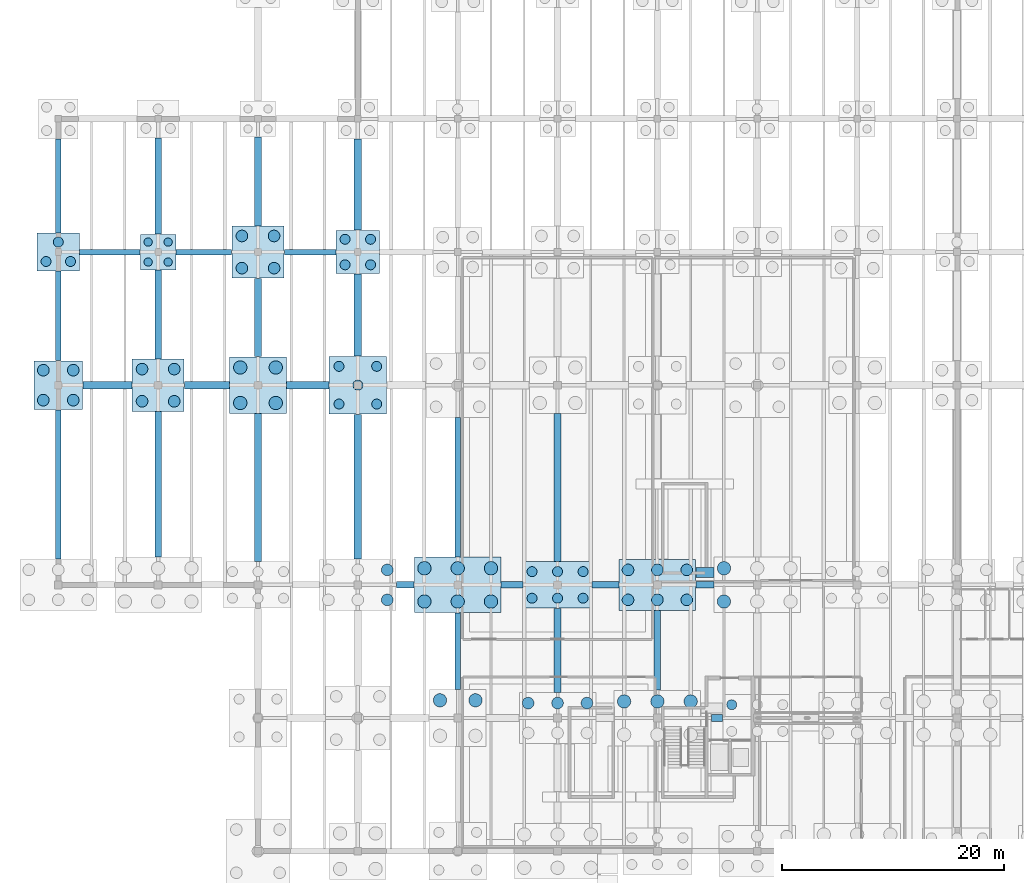
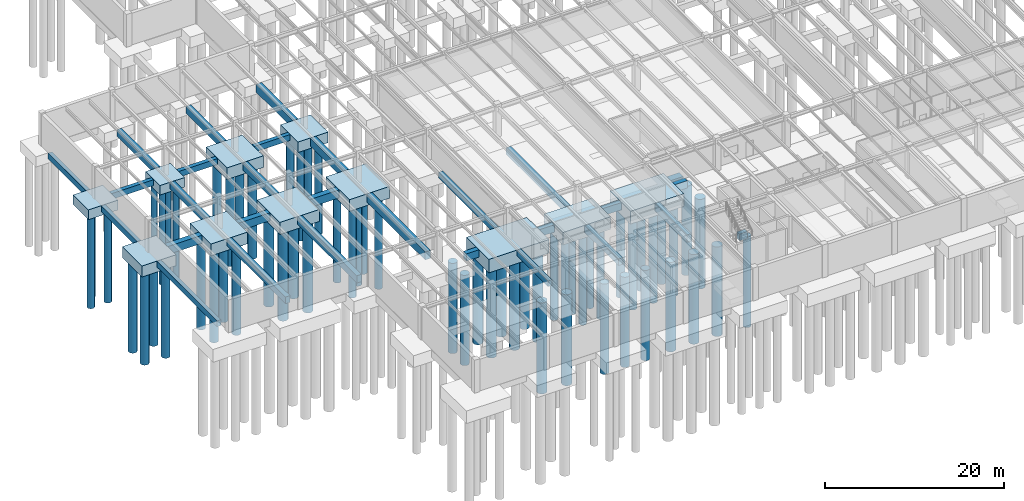
# One storey, part 2 of 40: 63 piles, 40 footings.
"""IFC4 building model written with IfcOpenShell, lengths in metres."""

from ifc_helpers import new_model, si_unit, direction, frame, origin, origin_2d, place, context, subcontext, project, spatial, polyline, rectangle, circle, outline, extrude, material, material_profile, profile_set, type_object, element, save


model = new_model("IFC4")

# Units and contexts
model_context = context("Model", 3, precision=1e-05, world=origin(), true_north=direction((0.0, 1.0)))
body_context = subcontext(model_context, "Body", "Model", "MODEL_VIEW")
ifc_project = project(units=[si_unit("LENGTHUNIT", "METRE"), si_unit("AREAUNIT", "SQUARE_METRE"), si_unit("VOLUMEUNIT", "CUBIC_METRE"), si_unit("PLANEANGLEUNIT", "RADIAN"), si_unit("MASSUNIT", "GRAM", prefix="KILO")], contexts=[model_context])

# Site, building, storey
site_placement = place(None, origin())
site = spatial("IfcSite", under=ifc_project, at=site_placement, CompositionType="ELEMENT")
building_placement = place(site_placement, origin())
building = spatial("IfcBuilding", under=site, at=building_placement, Name="Montelvaro Courts of Justice", CompositionType="ELEMENT")
storey_placement = place(building_placement, frame((0.0, 0.0, -4.5)))
storey = spatial("IfcBuildingStorey", under=building, at=storey_placement, Name="B01", CompositionType="ELEMENT", Elevation=-4.5)

# Piles
ifc_material = material(Name="Concrete C35/45", Category="concrete")
ifc_material_profile_1 = material_profile(ifc_material, circle(Radius=0.52490234375, at=origin_2d()), Name="BORED PILE D1050")
ifc_profile_set_1 = profile_set([ifc_material_profile_1], Name="Concrete C35/45")
pile_type_1 = type_object("IfcPileType", Name="BoredPile_1050", PredefinedType="BORED", material=ifc_profile_set_1)
for number, where, z_axis, x_axis, name in (
    (1, (-1.35009765625, 40.64990234375, -1.39990234375), (0.0, 0.0, -1.0), (1.0, 0.0, 0.0), "Bored Pile BP-03 1/D-1"),
    (2, (1.35009765625, 40.64990234375, -1.39990234375), (0.0, 0.0, -1.0), (1.0, 0.0, 0.0), "Bored Pile BP-03 1/D-2"),
    (3, (-1.35009765625, 43.35009765625, -1.39990234375), (0.0, 0.0, -1.0), (1.0, 0.0, 0.0), "Bored Pile BP-03 1/D-3"),
    (4, (1.35009765625, 43.35009765625, -1.39990234375), (0.0, 0.0, -1.0), (1.0, 0.0, 0.0), "Bored Pile BP-03 1/D-4"),
):
    element("IfcPile", number, at=place(storey_placement, frame(where, z_axis=z_axis, x_axis=x_axis)), inside=storey, type_object=pile_type_1, Name=name, PredefinedType="BORED", context=body_context, shape_type="SweptSolid", body=[
        extrude(circle(Radius=0.52490234375, at=origin_2d()), origin(), (0.0, 0.0, 1.0), 12.60009765625),
    ])
for number, where, z_axis, x_axis, name in (
    (5, (7.550048828125, 40.550048828125, -1.5), (0.0, 0.0, -1.0), (1.0, 0.0, 0.0), "Bored Pile BP-03 2/D-1"),
    (6, (10.449951171875, 40.550048828125, -1.5), (0.0, 0.0, -1.0), (1.0, 0.0, 0.0), "Bored Pile BP-03 2/D-2"),
    (7, (7.550048828125, 43.449951171875, -1.5), (0.0, 0.0, -1.0), (1.0, 0.0, 0.0), "Bored Pile BP-03 2/D-3"),
    (8, (10.449951171875, 43.449951171875, -1.5), (0.0, 0.0, -1.0), (1.0, 0.0, 0.0), "Bored Pile BP-03 2/D-4"),
    (9, (16.550048828125, 52.550048828125, -1.5), (0.0, 0.0, -1.0), (1.0, 0.0, 0.0), "Bored Pile BP-03 3/E-1"),
    (10, (19.449951171875, 52.550048828125, -1.5), (0.0, 0.0, -1.0), (1.0, 0.0, 0.0), "Bored Pile BP-03 3/E-2"),
    (11, (16.550048828125, 55.449951171875, -1.5), (0.0, 0.0, -1.0), (1.0, 0.0, 0.0), "Bored Pile BP-03 3/E-3"),
    (12, (19.449951171875, 55.449951171875, -1.5), (0.0, 0.0, -1.0), (1.0, 0.0, 0.0), "Bored Pile BP-03 3/E-4"),
):
    element("IfcPile", number, at=place(storey_placement, frame(where, z_axis=z_axis, x_axis=x_axis)), inside=storey, type_object=pile_type_1, Name=name, PredefinedType="BORED", context=body_context, shape_type="SweptSolid", body=[
        extrude(circle(Radius=0.52490234375, at=origin_2d()), origin(), (0.0, 0.0, 1.0), 12.5),
    ])
for number, where, z_axis, x_axis, name in (
    (13, (29.64990234375, 22.64990234375, -1.64990234375), (0.0, 0.0, -1.0), (1.0, 0.0, 0.0), "Bored Pile BP-03 4/C-3"),
    (14, (29.64990234375, 25.35009765625, -1.64990234375), (0.0, 0.0, -1.0), (1.0, 0.0, 0.0), "Bored Pile BP-03 4/C-6"),
    (15, (42.35009765625, 13.35009765625, -1.64990234375), (0.0, 0.0, -1.0), (1.0, 0.0, 0.0), "Bored Pile BP-03 6/B-4"),
    (16, (45.0, 13.35009765625, -1.64990234375), (0.0, 0.0, -1.0), (1.0, 0.0, 0.0), "Bored Pile BP-03 6/B-5"),
    (17, (47.64990234375, 13.35009765625, -1.64990234375), (0.0, 0.0, -1.0), (1.0, 0.0, 0.0), "Bored Pile BP-03 6/B-6"),
    (18, (51.35009765625, 22.64990234375, -1.64990234375), (0.0, 0.0, -1.0), (1.0, 0.0, 0.0), "Bored Pile BP-03 7/C-1"),
    (19, (54.0, 22.64990234375, -1.64990234375), (0.0, 0.0, -1.0), (1.0, 0.0, 0.0), "Bored Pile BP-03 7/C-2"),
    (20, (56.64990234375, 22.64990234375, -1.64990234375), (0.0, 0.0, -1.0), (1.0, 0.0, 0.0), "Bored Pile BP-03 7/C-3"),
    (21, (51.35009765625, 25.35009765625, -1.64990234375), (0.0, 0.0, -1.0), (1.0, 0.0, 0.0), "Bored Pile BP-03 7/C-4"),
    (22, (54.0, 25.35009765625, -1.64990234375), (0.0, 0.0, -1.0), (1.0, 0.0, 0.0), "Bored Pile BP-03 7/C-5"),
    (23, (56.64990234375, 25.35009765625, -1.64990234375), (0.0, 0.0, -1.0), (1.0, 0.0, 0.0), "Bored Pile BP-03 7/C-6"),
):
    element("IfcPile", number, at=place(storey_placement, frame(where, z_axis=z_axis, x_axis=x_axis)), inside=storey, type_object=pile_type_1, Name=name, PredefinedType="BORED", context=body_context, shape_type="SweptSolid", body=[
        extrude(circle(Radius=0.52490234375, at=origin_2d()), origin(), (0.0, 0.0, 1.0), 12.35009765625),
    ])
ifc_material_profile_2 = material_profile(ifc_material, circle(Radius=0.60009765625, at=origin_2d()), Name="BORED PILE D1200")
ifc_profile_set_2 = profile_set([ifc_material_profile_2], Name="Concrete C35/45")
pile_type_2 = type_object("IfcPileType", Name="BoredPile_1200", PredefinedType="BORED", material=ifc_profile_set_2)
for number, where, z_axis, x_axis, name in (
    (24, (16.39990234375, 40.39990234375, -1.550048828125), (0.0, 0.0, -1.0), (1.0, 0.0, 0.0), "Bored Pile BP-04 3/D-1"),
    (25, (19.60009765625, 40.39990234375, -1.550048828125), (0.0, 0.0, -1.0), (1.0, 0.0, 0.0), "Bored Pile BP-04 3/D-2"),
    (26, (16.39990234375, 43.60009765625, -1.550048828125), (0.0, 0.0, -1.0), (1.0, 0.0, 0.0), "Bored Pile BP-04 3/D-3"),
    (27, (19.60009765625, 43.60009765625, -1.550048828125), (0.0, 0.0, -1.0), (1.0, 0.0, 0.0), "Bored Pile BP-04 3/D-4"),
    (28, (34.39990234375, 13.60009765625, -1.550048828125), (0.0, 0.0, -1.0), (1.0, 0.0, 0.0), "Bored Pile BP-04 5/B-3"),
    (29, (37.60009765625, 13.60009765625, -1.550048828125), (0.0, 0.0, -1.0), (1.0, 0.0, 0.0), "Bored Pile BP-04 5/B-4"),
):
    element("IfcPile", number, at=place(storey_placement, frame(where, z_axis=z_axis, x_axis=x_axis)), inside=storey, type_object=pile_type_2, Name=name, PredefinedType="BORED", context=body_context, shape_type="SweptSolid", body=[
        extrude(circle(Radius=0.60009765625, at=origin_2d()), origin(), (0.0, 0.0, 1.0), 12.449951171875),
    ])
for number, where, z_axis, x_axis, name in (
    (30, (33.0, 22.5, -1.75), (0.0, 0.0, -1.0), (1.0, 0.0, 0.0), "Bored Pile BP-04 5/C-1"),
    (31, (36.0, 22.5, -1.75), (0.0, 0.0, -1.0), (1.0, 0.0, 0.0), "Bored Pile BP-04 5/C-2"),
    (32, (39.0, 22.5, -1.75), (0.0, 0.0, -1.0), (1.0, 0.0, 0.0), "Bored Pile BP-04 5/C-3"),
    (33, (33.0, 25.5, -1.75), (0.0, 0.0, -1.0), (1.0, 0.0, 0.0), "Bored Pile BP-04 5/C-4"),
    (34, (36.0, 25.5, -1.75), (0.0, 0.0, -1.0), (1.0, 0.0, 0.0), "Bored Pile BP-04 5/C-5"),
    (35, (39.0, 25.5, -1.75), (0.0, 0.0, -1.0), (1.0, 0.0, 0.0), "Bored Pile BP-04 5/C-6"),
    (36, (51.0, 13.5, -1.75), (0.0, 0.0, -1.0), (1.0, 0.0, 0.0), "Bored Pile BP-04 7/B-4"),
    (37, (54.0, 13.5, -1.75), (0.0, 0.0, -1.0), (1.0, 0.0, 0.0), "Bored Pile BP-04 7/B-5"),
    (38, (57.0, 13.5, -1.75), (0.0, 0.0, -1.0), (1.0, 0.0, 0.0), "Bored Pile BP-04 7/B-6"),
    (39, (60.0, 22.5, -1.75), (0.0, 0.0, -1.0), (1.0, 0.0, 0.0), "Bored Pile BP-04 8/C-1"),
    (40, (60.0, 25.5, -1.75), (0.0, 0.0, -1.0), (1.0, 0.0, 0.0), "Bored Pile BP-04 8/C-4"),
):
    element("IfcPile", number, at=place(storey_placement, frame(where, z_axis=z_axis, x_axis=x_axis)), inside=storey, type_object=pile_type_2, Name=name, PredefinedType="BORED", context=body_context, shape_type="SweptSolid", body=[
        extrude(circle(Radius=0.60009765625, at=origin_2d()), origin(), (0.0, 0.0, 1.0), 12.25),
    ])
ifc_material_profile_3 = material_profile(ifc_material, circle(Radius=0.375, at=origin_2d()), Name="BORED PILE D750")
ifc_profile_set_3 = profile_set([ifc_material_profile_3], Name="Concrete C35/45")
pile_type_3 = type_object("IfcPileType", Name="BoredPile_750", PredefinedType="BORED", material=ifc_profile_set_3)
for number, where, z_axis, x_axis, name in (
    (41, (8.10009765625, 53.10009765625, -1.199951171875), (0.0, 0.0, -1.0), (1.0, 0.0, 0.0), "Bored Pile BP-01 2/E-1"),
    (42, (9.89990234375, 53.10009765625, -1.199951171875), (0.0, 0.0, -1.0), (1.0, 0.0, 0.0), "Bored Pile BP-01 2/E-2"),
    (43, (8.10009765625, 54.89990234375, -1.199951171875), (0.0, 0.0, -1.0), (1.0, 0.0, 0.0), "Bored Pile BP-01 2/E-3"),
    (44, (9.89990234375, 54.89990234375, -1.199951171875), (0.0, 0.0, -1.0), (1.0, 0.0, 0.0), "Bored Pile BP-01 2/E-4"),
):
    element("IfcPile", number, at=place(storey_placement, frame(where, z_axis=z_axis, x_axis=x_axis)), inside=storey, type_object=pile_type_3, Name=name, PredefinedType="BORED", context=body_context, shape_type="SweptSolid", body=[
        extrude(circle(Radius=0.375, at=origin_2d()), origin(), (0.0, 0.0, 1.0), 12.800048828125),
    ])
ifc_material_profile_4 = material_profile(ifc_material, circle(Radius=0.449951171875, at=origin_2d()), Name="BORED PILE D900")
ifc_profile_set_4 = profile_set([ifc_material_profile_4], Name="Concrete C35/45")
pile_type_4 = type_object("IfcPileType", Name="BoredPile_900", PredefinedType="BORED", material=ifc_profile_set_4)
for number, where, z_axis, x_axis, name in (
    (45, (-1.10009765625, 53.14990234375, -1.25), (0.0, 0.0, -1.0), (1.0, 0.0, 0.0), "Bored Pile BP-02 1/E-1"),
    (46, (1.10009765625, 53.14990234375, -1.25), (0.0, 0.0, -1.0), (1.0, 0.0, 0.0), "Bored Pile BP-02 1/E-2"),
    (47, (0.0, 54.89990234375, -1.25), (0.0, 0.0, -1.0), (1.0, 0.0, 0.0), "Bored Pile BP-02 1/E-3"),
):
    element("IfcPile", number, at=place(storey_placement, frame(where, z_axis=z_axis, x_axis=x_axis)), inside=storey, type_object=pile_type_4, Name=name, PredefinedType="BORED", context=body_context, shape_type="SweptSolid", body=[
        extrude(circle(Radius=0.449951171875, at=origin_2d()), origin(), (0.0, 0.0, 1.0), 12.75),
    ])
for number, where, z_axis, x_axis, name in (
    (48, (25.300048828125, 40.300048828125, -1.5), (0.0, 0.0, -1.0), (1.0, 0.0, 0.0), "Bored Pile BP-02 4/D-1"),
    (49, (28.699951171875, 40.300048828125, -1.5), (0.0, 0.0, -1.0), (1.0, 0.0, 0.0), "Bored Pile BP-02 4/D-2"),
    (50, (27.0, 42.0, -1.5), (0.0, 0.0, -1.0), (1.0, 0.0, 0.0), "Bored Pile BP-02 4/D-3"),
    (51, (25.300048828125, 43.699951171875, -1.5), (0.0, 0.0, -1.0), (1.0, 0.0, 0.0), "Bored Pile BP-02 4/D-4"),
    (52, (28.699951171875, 43.699951171875, -1.5), (0.0, 0.0, -1.0), (1.0, 0.0, 0.0), "Bored Pile BP-02 4/D-5"),
):
    element("IfcPile", number, at=place(storey_placement, frame(where, z_axis=z_axis, x_axis=x_axis)), inside=storey, type_object=pile_type_4, Name=name, PredefinedType="BORED", context=body_context, shape_type="SweptSolid", body=[
        extrude(circle(Radius=0.449951171875, at=origin_2d()), origin(), (0.0, 0.0, 1.0), 12.5),
    ])
for number, where, z_axis, x_axis, name in (
    (53, (25.85009765625, 52.85009765625, -1.35009765625), (0.0, 0.0, -1.0), (1.0, 0.0, 0.0), "Bored Pile BP-02 4/E-1"),
    (54, (28.14990234375, 52.85009765625, -1.35009765625), (0.0, 0.0, -1.0), (1.0, 0.0, 0.0), "Bored Pile BP-02 4/E-2"),
    (55, (25.85009765625, 55.14990234375, -1.35009765625), (0.0, 0.0, -1.0), (1.0, 0.0, 0.0), "Bored Pile BP-02 4/E-3"),
    (56, (28.14990234375, 55.14990234375, -1.35009765625), (0.0, 0.0, -1.0), (1.0, 0.0, 0.0), "Bored Pile BP-02 4/E-4"),
):
    element("IfcPile", number, at=place(storey_placement, frame(where, z_axis=z_axis, x_axis=x_axis)), inside=storey, type_object=pile_type_4, Name=name, PredefinedType="BORED", context=body_context, shape_type="SweptSolid", body=[
        extrude(circle(Radius=0.449951171875, at=origin_2d()), origin(), (0.0, 0.0, 1.0), 12.64990234375),
    ])
for number, where, z_axis, x_axis, name in (
    (57, (42.699951171875, 22.800048828125, -1.60009765625), (0.0, 0.0, -1.0), (1.0, 0.0, 0.0), "Bored Pile BP-02 6/C-1"),
    (58, (45.0, 22.800048828125, -1.60009765625), (0.0, 0.0, -1.0), (1.0, 0.0, 0.0), "Bored Pile BP-02 6/C-2"),
    (59, (47.300048828125, 22.800048828125, -1.60009765625), (0.0, 0.0, -1.0), (1.0, 0.0, 0.0), "Bored Pile BP-02 6/C-3"),
    (60, (42.699951171875, 25.199951171875, -1.60009765625), (0.0, 0.0, -1.0), (1.0, 0.0, 0.0), "Bored Pile BP-02 6/C-4"),
    (61, (45.0, 25.199951171875, -1.60009765625), (0.0, 0.0, -1.0), (1.0, 0.0, 0.0), "Bored Pile BP-02 6/C-5"),
    (62, (47.300048828125, 25.199951171875, -1.60009765625), (0.0, 0.0, -1.0), (1.0, 0.0, 0.0), "Bored Pile BP-02 6/C-6"),
    (63, (60.699951171875, 13.199951171875, -1.60009765625), (0.0, 0.0, -1.0), (1.0, 0.0, 0.0), "Bored Pile BP-02 8/B-4"),
):
    element("IfcPile", number, at=place(storey_placement, frame(where, z_axis=z_axis, x_axis=x_axis)), inside=storey, type_object=pile_type_4, Name=name, PredefinedType="BORED", context=body_context, shape_type="SweptSolid", body=[
        extrude(circle(Radius=0.449951171875, at=origin_2d()), origin(), (0.0, 0.0, 1.0), 12.39990234375),
    ])

# Footings
footing_type_1 = type_object("IfcFootingType", Name="GroundBeam_500x800", PredefinedType="FOOTING_BEAM", material=ifc_material)
footing_1_placement = place(storey_placement, frame((0.0, 0.0, -0.800048828125)))
element("IfcFooting", 64, at=footing_1_placement, inside=storey, type_object=footing_type_1, Name="Foundation Ground Beam GB-01", PredefinedType="FOOTING_BEAM", context=body_context, shape_type="SweptSolid", body=[
    extrude(outline(polyline([(1.919921875, 53.75), (7.3798828125, 53.75), (7.3798828125, 54.25), (1.919921875, 54.25), (1.919921875, 53.75)])), origin(), (0.0, 0.0, 1.0), 0.800048828125),
])
footing_2_placement = place(storey_placement, frame((0.0, 0.0, -0.800048828125)))
element("IfcFooting", 65, at=footing_2_placement, inside=storey, type_object=footing_type_1, Name="Foundation Ground Beam GB-01", PredefinedType="FOOTING_BEAM", context=body_context, shape_type="SweptSolid", body=[
    extrude(outline(polyline([(10.6201171875, 53.75), (15.6298828125, 53.75), (15.6298828125, 54.25), (10.6201171875, 54.25), (10.6201171875, 53.75)])), origin(), (0.0, 0.0, 1.0), 0.800048828125),
])
footing_3_placement = place(storey_placement, frame((0.0, 0.0, -0.800048828125)))
element("IfcFooting", 66, at=footing_3_placement, inside=storey, type_object=footing_type_1, Name="Foundation Ground Beam GB-01", PredefinedType="FOOTING_BEAM", context=body_context, shape_type="SweptSolid", body=[
    extrude(outline(polyline([(20.3701171875, 53.75), (25.030029296875, 53.75), (25.030029296875, 54.25), (20.3701171875, 54.25), (20.3701171875, 53.75)])), origin(), (0.0, 0.0, 1.0), 0.800048828125),
])
footing_4_placement = place(storey_placement, frame((0.0, 0.0, -0.800048828125)))
element("IfcFooting", 67, at=footing_4_placement, inside=storey, type_object=footing_type_1, Name="Foundation Ground Beam GB-01", PredefinedType="FOOTING_BEAM", context=body_context, shape_type="SweptSolid", body=[
    extrude(outline(polyline([(-0.25, 26.320068359375), (0.25, 26.320068359375), (0.25, 39.780029296875), (-0.25, 39.780029296875), (-0.25, 26.320068359375)])), origin(), (0.0, 0.0, 1.0), 0.800048828125),
])
footing_5_placement = place(storey_placement, frame((0.0, 0.0, -0.800048828125)))
element("IfcFooting", 68, at=footing_5_placement, inside=storey, type_object=footing_type_1, Name="Foundation Ground Beam GB-01", PredefinedType="FOOTING_BEAM", context=body_context, shape_type="SweptSolid", body=[
    extrude(outline(polyline([(-0.25, 44.219970703125), (0.25, 44.219970703125), (0.25, 52.280029296875), (-0.25, 52.280029296875), (-0.25, 44.219970703125)])), origin(), (0.0, 0.0, 1.0), 0.800048828125),
])
footing_6_placement = place(storey_placement, frame((0.0, 0.0, -0.800048828125)))
element("IfcFooting", 69, at=footing_6_placement, inside=storey, type_object=footing_type_1, Name="Foundation Ground Beam GB-01", PredefinedType="FOOTING_BEAM", context=body_context, shape_type="SweptSolid", body=[
    extrude(outline(polyline([(-0.25, 55.719970703125), (0.25, 55.719970703125), (0.25, 64.179931640625), (-0.25, 64.179931640625), (-0.25, 55.719970703125)])), origin(), (0.0, 0.0, 1.0), 0.800048828125),
])
footing_7_placement = place(storey_placement, frame((0.0, 0.0, -0.800048828125)))
element("IfcFooting", 70, at=footing_7_placement, inside=storey, type_object=footing_type_1, Name="Foundation Ground Beam GB-01", PredefinedType="FOOTING_BEAM", context=body_context, shape_type="SweptSolid", body=[
    extrude(outline(polyline([(35.75, 14.570068359375), (36.25, 14.570068359375), (36.25, 21.47998046875), (35.75, 21.47998046875), (35.75, 14.570068359375)])), origin(), (0.0, 0.0, 1.0), 0.800048828125),
])
footing_8_placement = place(storey_placement, frame((0.0, 0.0, -0.800048828125)))
element("IfcFooting", 71, at=footing_8_placement, inside=storey, type_object=footing_type_1, Name="Foundation Ground Beam GB-01", PredefinedType="FOOTING_BEAM", context=body_context, shape_type="SweptSolid", body=[
    extrude(outline(polyline([(35.75, 26.52001953125), (36.25, 26.52001953125), (36.25, 39.080078125), (35.75, 39.080078125), (35.75, 26.52001953125)])), origin(), (0.0, 0.0, 1.0), 0.800048828125),
])
footing_type_2 = type_object("IfcFootingType", Name="GroundBeam_600x1000", PredefinedType="FOOTING_BEAM", material=ifc_material)
footing_9_placement = place(storey_placement, frame((0.0, 0.0, -1.0)))
element("IfcFooting", 72, at=footing_9_placement, inside=storey, type_object=footing_type_2, Name="Foundation Ground Beam GB-03", PredefinedType="FOOTING_BEAM", context=body_context, shape_type="SweptSolid", body=[
    extrude(outline(polyline([(30.469970703125, 23.699951171875), (32.080078125, 23.699951171875), (32.080078125, 24.300048828125), (30.469970703125, 24.300048828125), (30.469970703125, 23.699951171875)])), origin(), (0.0, 0.0, 1.0), 1.0),
])
footing_10_placement = place(storey_placement, frame((0.0, 0.0, -1.0)))
element("IfcFooting", 73, at=footing_10_placement, inside=storey, type_object=footing_type_2, Name="Foundation Ground Beam GB-03", PredefinedType="FOOTING_BEAM", context=body_context, shape_type="SweptSolid", body=[
    extrude(outline(polyline([(39.919921875, 23.699951171875), (41.8798828125, 23.699951171875), (41.8798828125, 24.300048828125), (39.919921875, 24.300048828125), (39.919921875, 23.699951171875)])), origin(), (0.0, 0.0, 1.0), 1.0),
])
footing_11_placement = place(storey_placement, frame((0.0, 0.0, -1.0)))
element("IfcFooting", 74, at=footing_11_placement, inside=storey, type_object=footing_type_2, Name="Foundation Ground Beam GB-03", PredefinedType="FOOTING_BEAM", context=body_context, shape_type="SweptSolid", body=[
    extrude(outline(polyline([(48.1201171875, 23.699951171875), (50.530029296875, 23.699951171875), (50.530029296875, 24.300048828125), (48.1201171875, 24.300048828125), (48.1201171875, 23.699951171875)])), origin(), (0.0, 0.0, 1.0), 1.0),
])
footing_12_placement = place(storey_placement, frame((0.0, 0.0, -1.0)))
element("IfcFooting", 75, at=footing_12_placement, inside=storey, type_object=footing_type_2, Name="Foundation Ground Beam GB-03", PredefinedType="FOOTING_BEAM", context=body_context, shape_type="SweptSolid", body=[
    extrude(outline(polyline([(57.469970703125, 23.699951171875), (59.080078125, 23.699951171875), (59.080078125, 24.300048828125), (57.469970703125, 24.300048828125), (57.469970703125, 23.699951171875)])), origin(), (0.0, 0.0, 1.0), 1.0),
])
footing_13_placement = place(storey_placement, frame((0.0, 0.0, -1.0)))
element("IfcFooting", 76, at=footing_13_placement, inside=storey, type_object=footing_type_2, Name="Foundation Ground Beam GB-03", PredefinedType="FOOTING_BEAM", context=body_context, shape_type="SweptSolid", body=[
    extrude(outline(polyline([(17.699951171875, 26.1201171875), (18.300048828125, 26.1201171875), (18.300048828125, 39.429931640625), (17.699951171875, 39.429931640625), (17.699951171875, 26.1201171875)])), origin(), (0.0, 0.0, 1.0), 1.0),
])
footing_14_placement = place(storey_placement, frame((0.0, 0.0, -1.0)))
element("IfcFooting", 77, at=footing_14_placement, inside=storey, type_object=footing_type_2, Name="Foundation Ground Beam GB-03", PredefinedType="FOOTING_BEAM", context=body_context, shape_type="SweptSolid", body=[
    extrude(outline(polyline([(17.699951171875, 44.570068359375), (18.300048828125, 44.570068359375), (18.300048828125, 51.6298828125), (17.699951171875, 51.6298828125), (17.699951171875, 44.570068359375)])), origin(), (0.0, 0.0, 1.0), 1.0),
])
footing_15_placement = place(storey_placement, frame((0.0, 0.0, -1.0)))
element("IfcFooting", 78, at=footing_15_placement, inside=storey, type_object=footing_type_2, Name="Foundation Ground Beam GB-03", PredefinedType="FOOTING_BEAM", context=body_context, shape_type="SweptSolid", body=[
    extrude(outline(polyline([(17.699951171875, 56.3701171875), (18.300048828125, 56.3701171875), (18.300048828125, 64.3798828125), (17.699951171875, 64.3798828125), (17.699951171875, 56.3701171875)])), origin(), (0.0, 0.0, 1.0), 1.0),
])
footing_16_placement = place(storey_placement, frame((0.0, 0.0, -1.0)))
element("IfcFooting", 79, at=footing_16_placement, inside=storey, type_object=footing_type_2, Name="Foundation Ground Beam GB-03", PredefinedType="FOOTING_BEAM", context=body_context, shape_type="SweptSolid", body=[
    extrude(outline(polyline([(53.699951171875, 14.52001953125), (54.300048828125, 14.52001953125), (54.300048828125, 21.679931640625), (53.699951171875, 21.679931640625), (53.699951171875, 14.52001953125)])), origin(), (0.0, 0.0, 1.0), 1.0),
])
footing_type_3 = type_object("IfcFootingType", Name="GroundBeam_600x900", PredefinedType="FOOTING_BEAM", material=ifc_material)
footing_17_placement = place(storey_placement, frame((0.0, 0.0, -0.89990234375)))
element("IfcFooting", 80, at=footing_17_placement, inside=storey, type_object=footing_type_3, Name="Foundation Ground Beam GB-02", PredefinedType="FOOTING_BEAM", context=body_context, shape_type="SweptSolid", body=[
    extrude(outline(polyline([(58.8701171875, 11.699951171875), (59.8798828125, 11.699951171875), (59.8798828125, 12.300048828125), (58.8701171875, 12.300048828125), (58.8701171875, 11.699951171875)])), origin(), (0.0, 0.0, 1.0), 0.89990234375),
])
footing_18_placement = place(storey_placement, frame((0.0, 0.0, -0.89990234375)))
element("IfcFooting", 81, at=footing_18_placement, inside=storey, type_object=footing_type_3, Name="Foundation Ground Beam GB-02", PredefinedType="FOOTING_BEAM", context=body_context, shape_type="SweptSolid", body=[
    extrude(outline(polyline([(8.699951171875, 26.52001953125), (9.300048828125, 26.52001953125), (9.300048828125, 39.6298828125), (8.699951171875, 39.6298828125), (8.699951171875, 26.52001953125)])), origin(), (0.0, 0.0, 1.0), 0.89990234375),
])
footing_19_placement = place(storey_placement, frame((0.0, 0.0, -0.89990234375)))
element("IfcFooting", 82, at=footing_19_placement, inside=storey, type_object=footing_type_3, Name="Foundation Ground Beam GB-02", PredefinedType="FOOTING_BEAM", context=body_context, shape_type="SweptSolid", body=[
    extrude(outline(polyline([(8.699951171875, 44.3701171875), (9.300048828125, 44.3701171875), (9.300048828125, 52.3798828125), (8.699951171875, 52.3798828125), (8.699951171875, 44.3701171875)])), origin(), (0.0, 0.0, 1.0), 0.89990234375),
])
footing_20_placement = place(storey_placement, frame((0.0, 0.0, -0.89990234375)))
element("IfcFooting", 83, at=footing_20_placement, inside=storey, type_object=footing_type_3, Name="Foundation Ground Beam GB-02", PredefinedType="FOOTING_BEAM", context=body_context, shape_type="SweptSolid", body=[
    extrude(outline(polyline([(8.699951171875, 55.6201171875), (9.300048828125, 55.6201171875), (9.300048828125, 64.280029296875), (8.699951171875, 64.280029296875), (8.699951171875, 55.6201171875)])), origin(), (0.0, 0.0, 1.0), 0.89990234375),
])
footing_21_placement = place(storey_placement, frame((0.0, 0.0, -0.89990234375)))
element("IfcFooting", 84, at=footing_21_placement, inside=storey, type_object=footing_type_3, Name="Foundation Ground Beam GB-02", PredefinedType="FOOTING_BEAM", context=body_context, shape_type="SweptSolid", body=[
    extrude(outline(polyline([(44.699951171875, 14.320068359375), (45.300048828125, 14.320068359375), (45.300048828125, 21.8798828125), (44.699951171875, 21.8798828125), (44.699951171875, 14.320068359375)])), origin(), (0.0, 0.0, 1.0), 0.89990234375),
])
footing_22_placement = place(storey_placement, frame((0.0, 0.0, -0.89990234375)))
element("IfcFooting", 85, at=footing_22_placement, inside=storey, type_object=footing_type_3, Name="Foundation Ground Beam GB-02", PredefinedType="FOOTING_BEAM", context=body_context, shape_type="SweptSolid", body=[
    extrude(outline(polyline([(44.699951171875, 26.1201171875), (45.300048828125, 26.1201171875), (45.300048828125, 39.429931640625), (44.699951171875, 39.429931640625), (44.699951171875, 26.1201171875)])), origin(), (0.0, 0.0, 1.0), 0.89990234375),
])
footing_type_4 = type_object("IfcFootingType", Name="GroundBeam_700x1100", PredefinedType="FOOTING_BEAM", material=ifc_material)
footing_23_placement = place(storey_placement, frame((0.0, 0.0, -1.10009765625)))
element("IfcFooting", 86, at=footing_23_placement, inside=storey, type_object=footing_type_4, Name="Foundation Ground Beam GB-04", PredefinedType="FOOTING_BEAM", context=body_context, shape_type="SweptSolid", body=[
    extrude(outline(polyline([(2.219970703125, 41.64990234375), (6.6298828125, 41.64990234375), (6.6298828125, 42.35009765625), (2.219970703125, 42.35009765625), (2.219970703125, 41.64990234375)])), origin(), (0.0, 0.0, 1.0), 1.10009765625),
])
footing_24_placement = place(storey_placement, frame((0.0, 0.0, -1.10009765625)))
element("IfcFooting", 87, at=footing_24_placement, inside=storey, type_object=footing_type_4, Name="Foundation Ground Beam GB-04", PredefinedType="FOOTING_BEAM", context=body_context, shape_type="SweptSolid", body=[
    extrude(outline(polyline([(11.3701171875, 41.64990234375), (15.429931640625, 41.64990234375), (15.429931640625, 42.35009765625), (11.3701171875, 42.35009765625), (11.3701171875, 41.64990234375)])), origin(), (0.0, 0.0, 1.0), 1.10009765625),
])
footing_25_placement = place(storey_placement, frame((0.0, 0.0, -1.10009765625)))
element("IfcFooting", 88, at=footing_25_placement, inside=storey, type_object=footing_type_4, Name="Foundation Ground Beam GB-04", PredefinedType="FOOTING_BEAM", context=body_context, shape_type="SweptSolid", body=[
    extrude(outline(polyline([(20.570068359375, 41.64990234375), (24.3798828125, 41.64990234375), (24.3798828125, 42.35009765625), (20.570068359375, 42.35009765625), (20.570068359375, 41.64990234375)])), origin(), (0.0, 0.0, 1.0), 1.10009765625),
])
footing_26_placement = place(storey_placement, frame((0.0, 0.0, -1.10009765625)))
element("IfcFooting", 89, at=footing_26_placement, inside=storey, type_object=footing_type_4, Name="Foundation Ground Beam GB-04", PredefinedType="FOOTING_BEAM", context=body_context, shape_type="SweptSolid", body=[
    extrude(outline(polyline([(26.64990234375, 26.320068359375), (27.35009765625, 26.320068359375), (27.35009765625, 39.3798828125), (26.64990234375, 39.3798828125), (26.64990234375, 26.320068359375)])), origin(), (0.0, 0.0, 1.0), 1.10009765625),
])
footing_27_placement = place(storey_placement, frame((0.0, 0.0, -1.10009765625)))
element("IfcFooting", 90, at=footing_27_placement, inside=storey, type_object=footing_type_4, Name="Foundation Ground Beam GB-04", PredefinedType="FOOTING_BEAM", context=body_context, shape_type="SweptSolid", body=[
    extrude(outline(polyline([(26.64990234375, 44.6201171875), (27.35009765625, 44.6201171875), (27.35009765625, 52.030029296875), (26.64990234375, 52.030029296875), (26.64990234375, 44.6201171875)])), origin(), (0.0, 0.0, 1.0), 1.10009765625),
])
footing_28_placement = place(storey_placement, frame((0.0, 0.0, -1.10009765625)))
element("IfcFooting", 91, at=footing_28_placement, inside=storey, type_object=footing_type_4, Name="Foundation Ground Beam GB-04", PredefinedType="FOOTING_BEAM", context=body_context, shape_type="SweptSolid", body=[
    extrude(outline(polyline([(26.64990234375, 55.969970703125), (27.35009765625, 55.969970703125), (27.35009765625, 64.179931640625), (26.64990234375, 64.179931640625), (26.64990234375, 55.969970703125)])), origin(), (0.0, 0.0, 1.0), 1.10009765625),
])
footing_type_5 = type_object("IfcFootingType", Name="PileCap_3P_380x340x135", PredefinedType="PILE_CAP", material=ifc_material)
footing_29_placement = place(storey_placement, frame((0.0, 54.0, -1.35009765625), z_axis=(0.0, 0.0, 1.0), x_axis=(1.0, 0.0, 0.0)))
element("IfcFooting", 92, at=footing_29_placement, inside=storey, type_object=footing_type_5, Name="Pile Cap PC-07 at 1/E", PredefinedType="PILE_CAP", context=body_context, shape_type="SweptSolid", body=[
    extrude(rectangle(XDim=3.800048828125, YDim=3.39990234375, at=origin_2d()), origin(), (0.0, 0.0, 1.0), 1.35009765625),
])
footing_type_6 = type_object("IfcFootingType", Name="PileCap_4P_320x320x130", PredefinedType="PILE_CAP", material=ifc_material)
footing_30_placement = place(storey_placement, frame((9.0, 54.0, -1.2998046875), z_axis=(0.0, 0.0, 1.0), x_axis=(1.0, 0.0, 0.0)))
element("IfcFooting", 93, at=footing_30_placement, inside=storey, type_object=footing_type_6, Name="Pile Cap PC-08 at 2/E", PredefinedType="PILE_CAP", context=body_context, shape_type="SweptSolid", body=[
    extrude(rectangle(XDim=3.199951171875, YDim=3.199951171875, at=origin_2d()), origin(), (0.0, 0.0, 1.0), 1.300048828125),
])
footing_type_7 = type_object("IfcFootingType", Name="PileCap_4P_390x390x145", PredefinedType="PILE_CAP", material=ifc_material)
footing_31_placement = place(storey_placement, frame((27.0, 54.0, -1.4501953125), z_axis=(0.0, 0.0, 1.0), x_axis=(1.0, 0.0, 0.0)))
element("IfcFooting", 94, at=footing_31_placement, inside=storey, type_object=footing_type_7, Name="Pile Cap PC-10 at 4/E", PredefinedType="PILE_CAP", context=body_context, shape_type="SweptSolid", body=[
    extrude(rectangle(XDim=3.89990234375, YDim=3.89990234375, at=origin_2d()), origin(), (0.0, 0.0, 1.0), 1.449951171875),
])
footing_type_8 = type_object("IfcFootingType", Name="PileCap_4P_440x440x150", PredefinedType="PILE_CAP", material=ifc_material)
footing_32_placement = place(storey_placement, frame((0.0, 42.0, -1.5), z_axis=(0.0, 0.0, 1.0), x_axis=(1.0, 0.0, 0.0)))
element("IfcFooting", 95, at=footing_32_placement, inside=storey, type_object=footing_type_8, Name="Pile Cap PC-11 at 1/D", PredefinedType="PILE_CAP", context=body_context, shape_type="SweptSolid", body=[
    extrude(rectangle(XDim=4.39990234375, YDim=4.39990234375, at=origin_2d()), origin(), (0.0, 0.0, 1.0), 1.5),
])
footing_type_9 = type_object("IfcFootingType", Name="PileCap_4P_470x470x160", PredefinedType="PILE_CAP", material=ifc_material)
for number, where, z_axis, x_axis, name in (
    (96, (9.0, 42.0, -1.60009765625), (0.0, 0.0, 1.0), (1.0, 0.0, 0.0), "Pile Cap PC-12 at 2/D"),
    (97, (18.0, 54.0, -1.60009765625), (0.0, 0.0, 1.0), (1.0, 0.0, 0.0), "Pile Cap PC-12 at 3/E"),
):
    element("IfcFooting", number, at=place(storey_placement, frame(where, z_axis=z_axis, x_axis=x_axis)), inside=storey, type_object=footing_type_9, Name=name, PredefinedType="PILE_CAP", context=body_context, shape_type="SweptSolid", body=[
        extrude(rectangle(XDim=4.699951171875, YDim=4.699951171875, at=origin_2d()), origin(), (0.0, 0.0, 1.0), 1.60009765625),
    ])
footing_type_10 = type_object("IfcFootingType", Name="PileCap_4P_510x510x165", PredefinedType="PILE_CAP", material=ifc_material)
footing_33_placement = place(storey_placement, frame((18.0, 42.0, -1.64990234375), z_axis=(0.0, 0.0, 1.0), x_axis=(1.0, 0.0, 0.0)))
element("IfcFooting", 98, at=footing_33_placement, inside=storey, type_object=footing_type_10, Name="Pile Cap PC-13 at 3/D", PredefinedType="PILE_CAP", context=body_context, shape_type="SweptSolid", body=[
    extrude(rectangle(XDim=5.10009765625, YDim=5.10009765625, at=origin_2d()), origin(), (0.0, 0.0, 1.0), 1.64990234375),
])
footing_type_11 = type_object("IfcFootingType", Name="PileCap_5P_520x520x160", PredefinedType="PILE_CAP", material=ifc_material)
footing_34_placement = place(storey_placement, frame((27.0, 42.0, -1.60009765625), z_axis=(0.0, 0.0, 1.0), x_axis=(1.0, 0.0, 0.0)))
element("IfcFooting", 99, at=footing_34_placement, inside=storey, type_object=footing_type_11, Name="Pile Cap PC-14 at 4/D", PredefinedType="PILE_CAP", context=body_context, shape_type="SweptSolid", body=[
    extrude(rectangle(XDim=5.199951171875, YDim=5.199951171875, at=origin_2d()), origin(), (0.0, 0.0, 1.0), 1.60009765625),
])
footing_type_12 = type_object("IfcFootingType", Name="PileCap_6P_620x420x170", PredefinedType="PILE_CAP", material=ifc_material)
footing_35_placement = place(storey_placement, frame((45.0, 24.0, -1.7001953125), z_axis=(0.0, 0.0, 1.0), x_axis=(1.0, 0.0, 0.0)))
element("IfcFooting", 100, at=footing_35_placement, inside=storey, type_object=footing_type_12, Name="Pile Cap PC-16 at 6/C", PredefinedType="PILE_CAP", context=body_context, shape_type="SweptSolid", body=[
    extrude(rectangle(XDim=6.199951171875, YDim=4.199951171875, at=origin_2d()), origin(), (0.0, 0.0, 1.0), 1.699951171875),
])
footing_type_13 = type_object("IfcFootingType", Name="PileCap_6P_690x460x175", PredefinedType="PILE_CAP", material=ifc_material)
footing_36_placement = place(storey_placement, frame((54.0, 24.0, -1.75), z_axis=(0.0, 0.0, 1.0), x_axis=(1.0, 0.0, 0.0)))
element("IfcFooting", 101, at=footing_36_placement, inside=storey, type_object=footing_type_13, Name="Pile Cap PC-17 at 7/C", PredefinedType="PILE_CAP", context=body_context, shape_type="SweptSolid", body=[
    extrude(rectangle(XDim=6.89990234375, YDim=4.60009765625, at=origin_2d()), origin(), (0.0, 0.0, 1.0), 1.75),
])
footing_type_14 = type_object("IfcFootingType", Name="PileCap_6P_780x500x185", PredefinedType="PILE_CAP", material=ifc_material)
footing_37_placement = place(storey_placement, frame((36.0, 24.0, -1.85009765625), z_axis=(0.0, 0.0, 1.0), x_axis=(1.0, 0.0, 0.0)))
element("IfcFooting", 102, at=footing_37_placement, inside=storey, type_object=footing_type_14, Name="Pile Cap PC-18 at 5/C", PredefinedType="PILE_CAP", context=body_context, shape_type="SweptSolid", body=[
    extrude(rectangle(XDim=7.800048828125, YDim=5.0, at=origin_2d()), origin(), (0.0, 0.0, 1.0), 1.85009765625),
])
footing_type_15 = type_object("IfcFootingType", Name="StripFooting_900x700", PredefinedType="STRIP_FOOTING", material=ifc_material)
footing_38_placement = place(storey_placement, frame((0.0, 0.0, -0.699951171875)))
element("IfcFooting", 103, at=footing_38_placement, inside=storey, type_object=footing_type_15, Name="Stair and Plinth Strip Footing SFG-01-17", PredefinedType="STRIP_FOOTING", context=body_context, shape_type="SweptSolid", body=[
    extrude(outline(polyline([(57.469970703125, 24.64990234375), (59.080078125, 24.64990234375), (59.080078125, 25.550048828125), (57.469970703125, 25.550048828125), (57.469970703125, 24.64990234375)])), origin(), (0.0, 0.0, 1.0), 0.699951171875),
])

save(model, "model.ifc")
